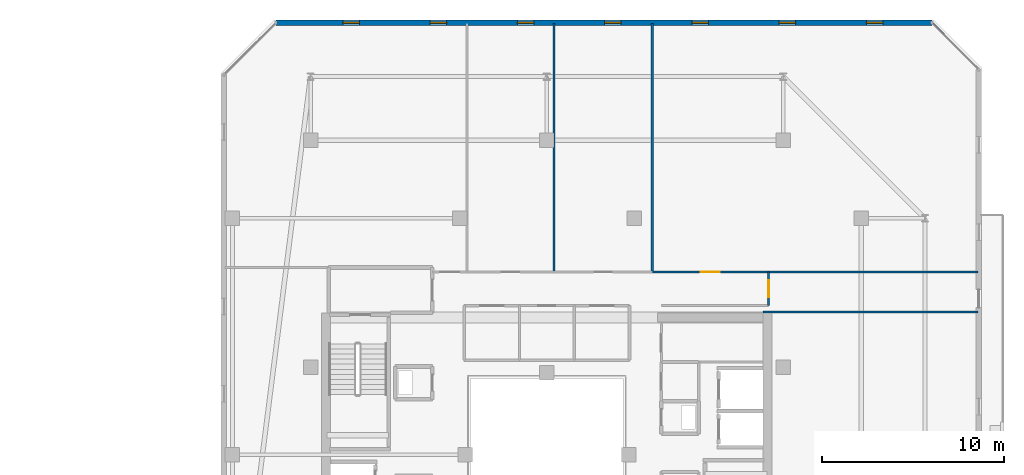
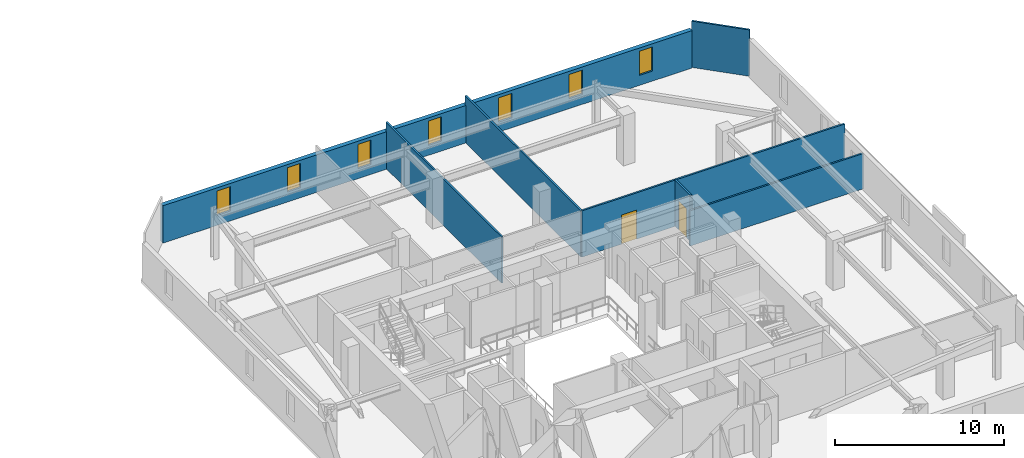
# One storey, part 28 of 35: 8 walls, 7 windows, 2 doors, 9 openings.
"""IFC4 building model written with IfcOpenShell, lengths in metres."""

from ifc_helpers import new_model, si_unit, direction, frame, frame_2d, origin, place, context, subcontext, project, spatial, rectangle, extrude, material, layer, layer_set, type_object, element, fill, save


model = new_model("IFC4")

# Units and contexts
model_context = context("Model", 3, precision=1e-05, world=origin(), true_north=direction((0.0, 1.0)))
body_context = subcontext(model_context, "Body", "Model", "MODEL_VIEW")
ifc_project = project(units=[si_unit("LENGTHUNIT", "METRE"), si_unit("AREAUNIT", "SQUARE_METRE"), si_unit("VOLUMEUNIT", "CUBIC_METRE"), si_unit("PLANEANGLEUNIT", "RADIAN"), si_unit("MASSUNIT", "GRAM", prefix="KILO")], contexts=[model_context])

# Site, building, storey
site_placement = place(None, origin())
site = spatial("IfcSite", under=ifc_project, at=site_placement, CompositionType="ELEMENT")
building_placement = place(site_placement, origin())
building = spatial("IfcBuilding", under=site, at=building_placement, Name="Thornwick Lancets Civic Towers", CompositionType="ELEMENT")
storey_placement = place(building_placement, frame((0.0, 0.0, 272.699951171875)))
storey = spatial("IfcBuildingStorey", under=building, at=storey_placement, Name="L73", CompositionType="ELEMENT", Elevation=272.699951171875)

# Wall, openings, windows
ifc_material_1 = material(Name="Insulated russet terracotta rainscreen on concrete C40/50", Category="masonry")
ifc_layer_1 = layer(ifc_material_1, 0.300048828125, Name="Insulated russet terracotta rainscreen on concrete C40/50")
ifc_layer_set_1 = layer_set([ifc_layer_1], Name="Insulated russet terracotta rainscreen on concrete C40/50")
wall_type_1 = type_object("IfcWallType", Name="WALL_EXT_RUSSET_300", PredefinedType="STANDARD", material=ifc_layer_set_1)
wall_1_placement = place(storey_placement, frame((109.681396484375, 50.7646484375, 0.0), z_axis=(0.0, 0.0, 1.0), x_axis=(-0.999999999634, -2.7061402e-05, 0.0)))
wall_1 = element("IfcWall", 1, at=wall_1_placement, inside=storey, type_object=wall_type_1, Name="L73 Tower B Terracotta Facade Wall E4", PredefinedType="STANDARD", context=body_context, shape_type="SweptSolid", body=[
    extrude(rectangle(XDim=36.0869140625, YDim=0.300048828125, at=frame_2d((18.04345703125, 0.0))), origin(), (0.0, 0.0, 1.0), 2.699951171875),
])
opening_1_placement = place(wall_1_placement, frame((2.699951171875, 0.0, 0.719970703125)))
opening_1 = element("IfcOpeningElement", 2, at=opening_1_placement, cuts=wall_1, Name="Opening WL-01", PredefinedType="OPENING", context=body_context, shape_type="SweptSolid", body=[
    extrude(rectangle(XDim=0.89990234375, YDim=1.75, at=frame_2d((0.449951171875, 0.875))), frame((0.0, 0.16015625, 0.0), z_axis=(0.0, -1.0, 0.0), x_axis=(1.0, 0.0, 0.0)), (0.0, 0.0, 1.0), 0.320068359375),
])
opening_2_placement = place(wall_1_placement, frame((7.5, 0.0, 0.719970703125)))
opening_2 = element("IfcOpeningElement", 3, at=opening_2_placement, cuts=wall_1, Name="Opening WL-01", PredefinedType="OPENING", context=body_context, shape_type="SweptSolid", body=[
    extrude(rectangle(XDim=0.89990234375, YDim=1.75, at=frame_2d((0.449951171875, 0.875))), frame((0.0, 0.16015625, 0.0), z_axis=(0.0, -1.0, 0.0), x_axis=(1.0, 0.0, 0.0)), (0.0, 0.0, 1.0), 0.320068359375),
])
opening_3_placement = place(wall_1_placement, frame((12.300048828125, 0.0, 0.719970703125)))
opening_3 = element("IfcOpeningElement", 4, at=opening_3_placement, cuts=wall_1, Name="Opening WL-01", PredefinedType="OPENING", context=body_context, shape_type="SweptSolid", body=[
    extrude(rectangle(XDim=0.89990234375, YDim=1.75, at=frame_2d((0.449951171875, 0.875))), frame((0.0, 0.16015625, 0.0), z_axis=(0.0, -1.0, 0.0), x_axis=(1.0, 0.0, 0.0)), (0.0, 0.0, 1.0), 0.320068359375),
])
opening_4_placement = place(wall_1_placement, frame((17.10009765625, 0.0, 0.719970703125)))
opening_4 = element("IfcOpeningElement", 5, at=opening_4_placement, cuts=wall_1, Name="Opening WL-01", PredefinedType="OPENING", context=body_context, shape_type="SweptSolid", body=[
    extrude(rectangle(XDim=0.89990234375, YDim=1.75, at=frame_2d((0.449951171875, 0.875))), frame((0.0, 0.16015625, 0.0), z_axis=(0.0, -1.0, 0.0), x_axis=(1.0, 0.0, 0.0)), (0.0, 0.0, 1.0), 0.320068359375),
])
opening_5_placement = place(wall_1_placement, frame((21.89990234375, 0.0, 0.719970703125)))
opening_5 = element("IfcOpeningElement", 6, at=opening_5_placement, cuts=wall_1, Name="Opening WL-01", PredefinedType="OPENING", context=body_context, shape_type="SweptSolid", body=[
    extrude(rectangle(XDim=0.89990234375, YDim=1.75, at=frame_2d((0.449951171875, 0.875))), frame((0.0, 0.16015625, 0.0), z_axis=(0.0, -1.0, 0.0), x_axis=(1.0, 0.0, 0.0)), (0.0, 0.0, 1.0), 0.320068359375),
])
opening_6_placement = place(wall_1_placement, frame((26.699951171875, 0.0, 0.719970703125)))
opening_6 = element("IfcOpeningElement", 7, at=opening_6_placement, cuts=wall_1, Name="Opening WL-01", PredefinedType="OPENING", context=body_context, shape_type="SweptSolid", body=[
    extrude(rectangle(XDim=0.89990234375, YDim=1.75, at=frame_2d((0.449951171875, 0.875))), frame((0.0, 0.16015625, 0.0), z_axis=(0.0, -1.0, 0.0), x_axis=(1.0, 0.0, 0.0)), (0.0, 0.0, 1.0), 0.320068359375),
])
opening_7_placement = place(wall_1_placement, frame((31.5, 0.0, 0.719970703125)))
opening_7 = element("IfcOpeningElement", 8, at=opening_7_placement, cuts=wall_1, Name="Opening WL-01", PredefinedType="OPENING", context=body_context, shape_type="SweptSolid", body=[
    extrude(rectangle(XDim=0.89990234375, YDim=1.75, at=frame_2d((0.449951171875, 0.875))), frame((0.0, 0.16015625, 0.0), z_axis=(0.0, -1.0, 0.0), x_axis=(1.0, 0.0, 0.0)), (0.0, 0.0, 1.0), 0.320068359375),
])
ifc_material_2 = material(Name="Clear low-e double glazing in bronze frame", Category="glass")
window_type = type_object("IfcWindowType", Name="WIN_LANCET_900", PartitioningType="SINGLE_PANEL", PredefinedType="WINDOW", material=ifc_material_2)
window_1_placement = place(opening_1_placement, origin())
window_1 = element("IfcWindow", 9, at=window_1_placement, inside=storey, type_object=window_type, Name="L73 Tower B Staggered Lancet Window E4-1", OverallHeight=1.75, OverallWidth=0.89990234375, PartitioningType="SINGLE_PANEL", PredefinedType="WINDOW", context=body_context, shape_type="SweptSolid", body=[
    extrude(rectangle(XDim=0.89990234375, YDim=1.75, at=frame_2d((0.449951171875, 0.875))), frame((0.0, 0.030029296875, 0.0), z_axis=(0.0, -1.0, 0.0), x_axis=(1.0, 0.0, 0.0)), (0.0, 0.0, 1.0), 0.06005859375),
])
fill(opening_1, window_1)
window_2_placement = place(opening_2_placement, origin())
window_2 = element("IfcWindow", 10, at=window_2_placement, inside=storey, type_object=window_type, Name="L73 Tower B Staggered Lancet Window E4-2", OverallHeight=1.75, OverallWidth=0.89990234375, PartitioningType="SINGLE_PANEL", PredefinedType="WINDOW", context=body_context, shape_type="SweptSolid", body=[
    extrude(rectangle(XDim=0.89990234375, YDim=1.75, at=frame_2d((0.449951171875, 0.875))), frame((0.0, 0.030029296875, 0.0), z_axis=(0.0, -1.0, 0.0), x_axis=(1.0, 0.0, 0.0)), (0.0, 0.0, 1.0), 0.06005859375),
])
fill(opening_2, window_2)
window_3_placement = place(opening_3_placement, origin())
window_3 = element("IfcWindow", 11, at=window_3_placement, inside=storey, type_object=window_type, Name="L73 Tower B Staggered Lancet Window E4-3", OverallHeight=1.75, OverallWidth=0.89990234375, PartitioningType="SINGLE_PANEL", PredefinedType="WINDOW", context=body_context, shape_type="SweptSolid", body=[
    extrude(rectangle(XDim=0.89990234375, YDim=1.75, at=frame_2d((0.449951171875, 0.875))), frame((0.0, 0.030029296875, 0.0), z_axis=(0.0, -1.0, 0.0), x_axis=(1.0, 0.0, 0.0)), (0.0, 0.0, 1.0), 0.06005859375),
])
fill(opening_3, window_3)
window_4_placement = place(opening_4_placement, origin())
window_4 = element("IfcWindow", 12, at=window_4_placement, inside=storey, type_object=window_type, Name="L73 Tower B Staggered Lancet Window E4-4", OverallHeight=1.75, OverallWidth=0.89990234375, PartitioningType="SINGLE_PANEL", PredefinedType="WINDOW", context=body_context, shape_type="SweptSolid", body=[
    extrude(rectangle(XDim=0.89990234375, YDim=1.75, at=frame_2d((0.449951171875, 0.875))), frame((0.0, 0.030029296875, 0.0), z_axis=(0.0, -1.0, 0.0), x_axis=(1.0, 0.0, 0.0)), (0.0, 0.0, 1.0), 0.06005859375),
])
fill(opening_4, window_4)
window_5_placement = place(opening_5_placement, origin())
window_5 = element("IfcWindow", 13, at=window_5_placement, inside=storey, type_object=window_type, Name="L73 Tower B Staggered Lancet Window E4-5", OverallHeight=1.75, OverallWidth=0.89990234375, PartitioningType="SINGLE_PANEL", PredefinedType="WINDOW", context=body_context, shape_type="SweptSolid", body=[
    extrude(rectangle(XDim=0.89990234375, YDim=1.75, at=frame_2d((0.449951171875, 0.875))), frame((0.0, 0.030029296875, 0.0), z_axis=(0.0, -1.0, 0.0), x_axis=(1.0, 0.0, 0.0)), (0.0, 0.0, 1.0), 0.06005859375),
])
fill(opening_5, window_5)
window_6_placement = place(opening_6_placement, origin())
window_6 = element("IfcWindow", 14, at=window_6_placement, inside=storey, type_object=window_type, Name="L73 Tower B Staggered Lancet Window E4-6", OverallHeight=1.75, OverallWidth=0.89990234375, PartitioningType="SINGLE_PANEL", PredefinedType="WINDOW", context=body_context, shape_type="SweptSolid", body=[
    extrude(rectangle(XDim=0.89990234375, YDim=1.75, at=frame_2d((0.449951171875, 0.875))), frame((0.0, 0.030029296875, 0.0), z_axis=(0.0, -1.0, 0.0), x_axis=(1.0, 0.0, 0.0)), (0.0, 0.0, 1.0), 0.06005859375),
])
fill(opening_6, window_6)
window_7_placement = place(opening_7_placement, origin())
window_7 = element("IfcWindow", 15, at=window_7_placement, inside=storey, type_object=window_type, Name="L73 Tower B Staggered Lancet Window E4-7", OverallHeight=1.75, OverallWidth=0.89990234375, PartitioningType="SINGLE_PANEL", PredefinedType="WINDOW", context=body_context, shape_type="SweptSolid", body=[
    extrude(rectangle(XDim=0.89990234375, YDim=1.75, at=frame_2d((0.449951171875, 0.875))), frame((0.0, 0.030029296875, 0.0), z_axis=(0.0, -1.0, 0.0), x_axis=(1.0, 0.0, 0.0)), (0.0, 0.0, 1.0), 0.06005859375),
])
fill(opening_7, window_7)

# Wall, opening, door
ifc_material_3 = material(Name="Acoustic gypsum board partition")
ifc_layer_2 = layer(ifc_material_3, 0.1201171875, Name="Acoustic gypsum board partition")
ifc_layer_set_2 = layer_set([ifc_layer_2], Name="Acoustic gypsum board partition")
wall_type_2 = type_object("IfcWallType", Name="WALL_PART_120", PredefinedType="PARTITIONING", material=ifc_layer_set_2)
wall_2_placement = place(storey_placement, frame((100.699951171875, 35.199951171875, 0.0), z_axis=(0.0, 0.0, 1.0), x_axis=(0.0, 1.0, 0.0)))
wall_2 = element("IfcWall", 16, at=wall_2_placement, inside=storey, type_object=wall_type_2, Name="L73 Partition L73-B-RECLAIM-L E3", PredefinedType="PARTITIONING", context=body_context, shape_type="SweptSolid", body=[
    extrude(rectangle(XDim=1.85009765625, YDim=0.1201171875, at=frame_2d((0.925048828125, 0.0))), origin(), (0.0, 0.0, 1.0), 3.340087890625),
])
opening_8_placement = place(wall_2_placement, frame((0.449951171875, 0.0, 0.0)))
opening_8 = element("IfcOpeningElement", 17, at=opening_8_placement, cuts=wall_2, Name="Opening D-L73-3365", PredefinedType="OPENING", context=body_context, shape_type="SweptSolid", body=[
    extrude(rectangle(XDim=0.949951171875, YDim=2.10009765625, at=frame_2d((0.47509765625, 1.050048828125))), frame((0.0, 0.070068359375, 0.0), z_axis=(0.0, -1.0, 0.0), x_axis=(1.0, 0.0, 0.0)), (0.0, 0.0, 1.0), 0.14013671875),
])
ifc_material_4 = material(Name="European oak acoustic doorset")
door_type_1 = type_object("IfcDoorType", Name="DOOR_OFFICE_950", OperationType="NOTDEFINED", PredefinedType="DOOR", material=ifc_material_4)
door_1_placement = place(opening_8_placement, origin())
door_1 = element("IfcDoor", 18, at=door_1_placement, inside=storey, type_object=door_type_1, Name="L73 Tower B Parliamentary Drafting Library Door", OperationType="SINGLE_SWING_RIGHT", OverallHeight=2.10009765625, OverallWidth=0.949951171875, PredefinedType="DOOR", context=body_context, shape_type="SweptSolid", body=[
    extrude(rectangle(XDim=0.949951171875, YDim=2.10009765625, at=frame_2d((0.47509765625, 1.050048828125))), frame((0.0, 0.02490234375, 0.0), z_axis=(0.0, -1.0, 0.0), x_axis=(1.0, 0.0, 0.0)), (0.0, 0.0, 1.0), 0.050048828125),
])
fill(opening_8, door_1)

# Walls
wall_3_placement = place(storey_placement, frame((100.699951171875, 37.050048828125, 0.0), z_axis=(0.0, 0.0, 1.0), x_axis=(1.0, 0.0, 0.0)))
element("IfcWall", 19, at=wall_3_placement, inside=storey, type_object=wall_type_2, Name="L73 Partition L73-B-RECLAIM-L E4", PredefinedType="PARTITIONING", context=body_context, shape_type="SweptSolid", body=[
    extrude(rectangle(XDim=11.52001953125, YDim=0.1201171875, at=frame_2d((5.760009765625, 0.0))), origin(), (0.0, 0.0, 1.0), 3.340087890625),
])
wall_4_placement = place(storey_placement, frame((112.219970703125, 34.85009765625, 0.0), z_axis=(0.0, 0.0, 1.0), x_axis=(-1.0, 0.0, 0.0)))
element("IfcWall", 20, at=wall_4_placement, inside=storey, type_object=wall_type_2, Name="L73 Partition L73-B-RECLAIM-L E6", PredefinedType="PARTITIONING", context=body_context, shape_type="SweptSolid", body=[
    extrude(rectangle(XDim=11.820068359375, YDim=0.1201171875, at=frame_2d((5.91015625, 0.0))), origin(), (0.0, 0.0, 1.0), 2.545166015625),
])

# Wall, opening, door
wall_5_placement = place(storey_placement, frame((100.699951171875, 37.050048828125, 0.0), z_axis=(0.0, 0.0, 1.0), x_axis=(-1.0, 0.0, 0.0)))
wall_5 = element("IfcWall", 21, at=wall_5_placement, inside=storey, type_object=wall_type_2, Name="L73 Partition L73-B-E1 E1", PredefinedType="PARTITIONING", context=body_context, shape_type="SweptSolid", body=[
    extrude(rectangle(XDim=6.39990234375, YDim=0.1201171875, at=frame_2d((3.199951171875, 0.0))), origin(), (0.0, 0.0, 1.0), 3.340087890625),
])
opening_9_placement = place(wall_5_placement, frame((2.675048828125, 0.0, 0.0)))
opening_9 = element("IfcOpeningElement", 22, at=opening_9_placement, cuts=wall_5, Name="Opening D-L73-3374", PredefinedType="OPENING", context=body_context, shape_type="SweptSolid", body=[
    extrude(rectangle(XDim=1.050048828125, YDim=2.10009765625, at=frame_2d((0.52490234375, 1.050048828125))), frame((0.0, 0.070068359375, 0.0), z_axis=(0.0, -1.0, 0.0), x_axis=(1.0, 0.0, 0.0)), (0.0, 0.0, 1.0), 0.14013671875),
])
ifc_material_5 = material(Name="Glazed European oak executive doorset")
door_type_2 = type_object("IfcDoorType", Name="DOOR_OFFICE_1050", OperationType="NOTDEFINED", PredefinedType="DOOR", material=ifc_material_5)
door_2_placement = place(opening_9_placement, origin())
door_2 = element("IfcDoor", 23, at=door_2_placement, inside=storey, type_object=door_type_2, Name="L73 Tower B Secretariat Open Office E1 Door", OperationType="SINGLE_SWING_LEFT", OverallHeight=2.10009765625, OverallWidth=1.050048828125, PredefinedType="DOOR", context=body_context, shape_type="SweptSolid", body=[
    extrude(rectangle(XDim=1.050048828125, YDim=2.10009765625, at=frame_2d((0.52490234375, 1.050048828125))), frame((0.0, 0.02490234375, 0.0), z_axis=(0.0, -1.0, 0.0), x_axis=(1.0, 0.0, 0.0)), (0.0, 0.0, 1.0), 0.050048828125),
])
fill(opening_9, door_2)

# Walls
wall_6_placement = place(storey_placement, frame((94.300048828125, 37.050048828125, 0.0), z_axis=(0.0, 0.0, 1.0), x_axis=(0.0, 1.0, 0.0)))
element("IfcWall", 24, at=wall_6_placement, inside=storey, type_object=wall_type_2, Name="L73 Partition L73-B-E1 E2", PredefinedType="PARTITIONING", context=body_context, shape_type="SweptSolid", body=[
    extrude(rectangle(XDim=13.669921875, YDim=0.1201171875, at=frame_2d((6.8349609375, 0.0))), origin(), (0.0, 0.0, 1.0), 3.340087890625),
])
wall_7_placement = place(storey_placement, frame((109.725341796875, 50.719970703125, 0.0), z_axis=(0.0, 0.0, 1.0), x_axis=(0.707106781187, -0.707106781187, 0.0)))
element("IfcWall", 25, at=wall_7_placement, inside=storey, type_object=wall_type_2, Name="L73 Partition L73-B-E1 E4", PredefinedType="PARTITIONING", context=body_context, shape_type="SweptSolid", body=[
    extrude(rectangle(XDim=3.52783203125, YDim=0.1201171875, at=frame_2d((1.763916015625, 0.0))), origin(), (0.0, 0.0, 1.0), 3.340087890625),
])
wall_8_placement = place(storey_placement, frame((88.89990234375, 37.050048828125, 0.0), z_axis=(0.0, 0.0, 1.0), x_axis=(0.0, 1.0, 0.0)))
element("IfcWall", 26, at=wall_8_placement, inside=storey, type_object=wall_type_2, Name="L73 Partition L73-B-E2 E1", PredefinedType="PARTITIONING", context=body_context, shape_type="SweptSolid", body=[
    extrude(rectangle(XDim=13.669921875, YDim=0.1201171875, at=frame_2d((6.8349609375, 0.0))), origin(), (0.0, 0.0, 1.0), 3.340087890625),
])

save(model, "model.ifc")
